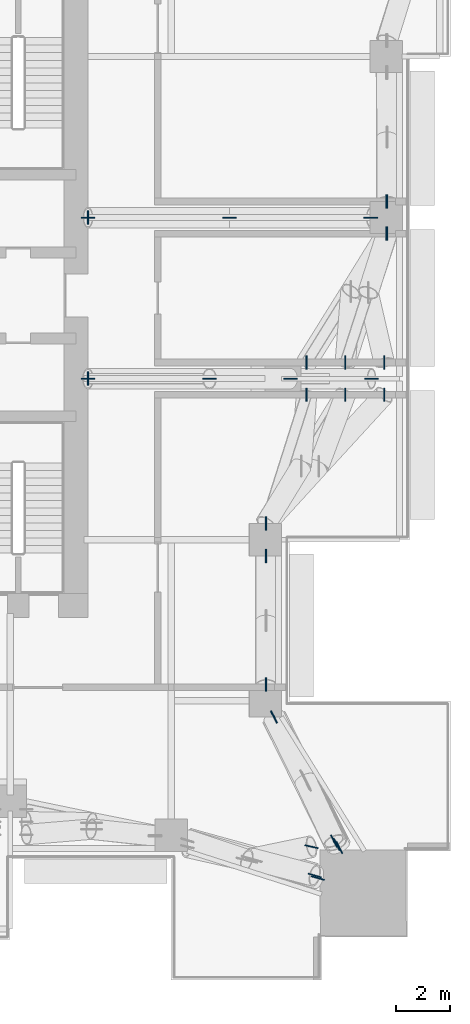
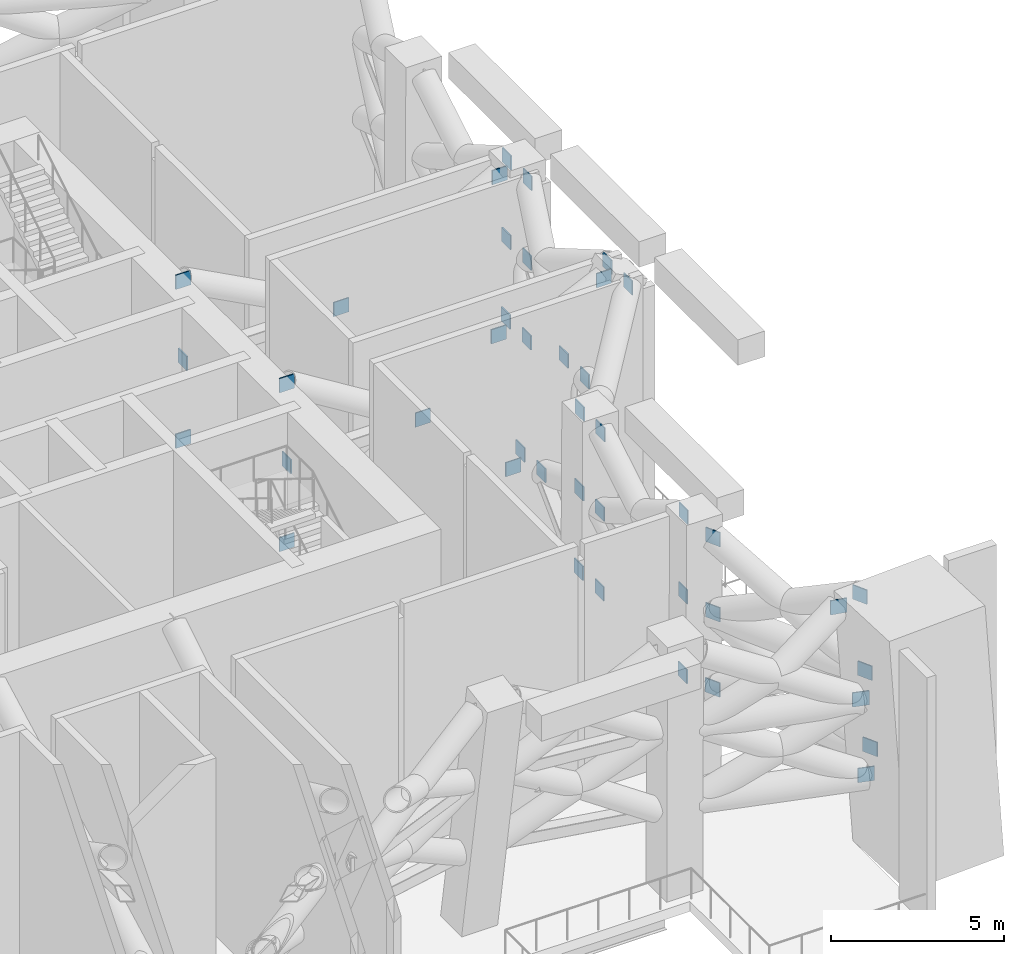
# One storey, part 13 of 18: 42 discrete accessories.
"""IFC4 building model written with IfcOpenShell, lengths in metres."""

from ifc_helpers import new_model, si_unit, direction, frame, origin, origin_2d, place, context, subcontext, project, spatial, rectangle, extrude, element, save


model = new_model("IFC4")

# Units and contexts
model_context = context("Model", 3, precision=1e-05, world=origin(), true_north=direction((0.0, 1.0)))
body_context = subcontext(model_context, "Body", "Model", "MODEL_VIEW")
ifc_project = project(units=[si_unit("LENGTHUNIT", "METRE"), si_unit("AREAUNIT", "SQUARE_METRE"), si_unit("VOLUMEUNIT", "CUBIC_METRE"), si_unit("PLANEANGLEUNIT", "RADIAN"), si_unit("MASSUNIT", "GRAM", prefix="KILO")], contexts=[model_context])

# Site, building, storey
site_placement = place(None, origin())
site = spatial("IfcSite", under=ifc_project, at=site_placement, CompositionType="ELEMENT")
building_placement = place(site_placement, origin())
building = spatial("IfcBuilding", under=site, at=building_placement, Name="Amberfall Residences", CompositionType="ELEMENT")
storey_placement = place(building_placement, frame((0.0, 0.0, 69.699951171875)))
storey = spatial("IfcBuildingStorey", under=building, at=storey_placement, Name="L19", CompositionType="ELEMENT", Elevation=69.699951171875)

# Discrete accessories
discrete_accessory_1_placement = place(storey_placement, frame((86.5, 42.39990234375, 5.449951171875), z_axis=(0.0, 0.0, 1.0), x_axis=(1.0, 0.0, 0.0)))
element("IfcDiscreteAccessory", 1, at=discrete_accessory_1_placement, inside=storey, Name="Cast-in plate L19", PredefinedType="BRACKET", context=body_context, shape_type="SweptSolid", body=[
    extrude(rectangle(XDim=0.0400390625, YDim=0.5, at=origin_2d()), origin(), (0.0, 0.0, 1.0), 0.5),
])
for number, where, z_axis, x_axis, name in (
    (2, (94.0380859375, 42.39990234375, 2.650146484375), (0.0, 0.0, 1.0), (1.0, 0.0, 0.0), "Connection plate L19"),
    (3, (91.025390625, 42.39990234375, 5.449951171875), (0.0, 0.0, 1.0), (1.0, 0.0, 0.0), "Connection plate L19"),
    (4, (86.5, 42.39990234375, 2.650146484375), (0.0, 0.0, 1.0), (1.0, 0.0, 0.0), "Connection plate L19"),
    (5, (97.063232421875, 42.39990234375, 8.25), (0.0, 0.0, 1.0), (1.0, 0.0, 0.0), "Connection plate L19"),
    (6, (86.5, 42.39990234375, 8.25), (0.0, 0.0, 1.0), (1.0, 0.0, 0.0), "Connection plate L19"),
):
    element("IfcDiscreteAccessory", number, at=place(storey_placement, frame(where, z_axis=z_axis, x_axis=x_axis)), inside=storey, Name=name, PredefinedType="BRACKET", context=body_context, shape_type="SweptSolid", body=[
        extrude(rectangle(XDim=0.5, YDim=0.0400390625, at=origin_2d()), origin(), (0.0, 0.0, 1.0), 0.5),
    ])
discrete_accessory_2_placement = place(storey_placement, frame((86.5, 48.39990234375, 5.449951171875), z_axis=(0.0, 0.0, 1.0), x_axis=(1.0, 0.0, 0.0)))
element("IfcDiscreteAccessory", 7, at=discrete_accessory_2_placement, inside=storey, Name="Cast-in plate L19", PredefinedType="BRACKET", context=body_context, shape_type="SweptSolid", body=[
    extrude(rectangle(XDim=0.0400390625, YDim=0.5, at=origin_2d()), origin(), (0.0, 0.0, 1.0), 0.5),
])
for number, where, z_axis, x_axis, name in (
    (8, (97.017333984375, 48.39990234375, 2.650146484375), (0.0, 0.0, 1.0), (1.0, 0.0, 0.0), "Connection plate L19"),
    (9, (91.7666015625, 48.39990234375, 5.449951171875), (0.0, 0.0, 1.0), (1.0, 0.0, 0.0), "Connection plate L19"),
    (10, (86.5, 48.39990234375, 2.650146484375), (0.0, 0.0, 1.0), (1.0, 0.0, 0.0), "Connection plate L19"),
    (11, (97.048583984375, 48.39990234375, 8.25), (0.0, 0.0, 1.0), (1.0, 0.0, 0.0), "Connection plate L19"),
    (12, (86.5, 48.39990234375, 8.25), (0.0, 0.0, 1.0), (1.0, 0.0, 0.0), "Connection plate L19"),
    (13, (93.117431640625, 31.0, 2.650146484375), (0.0, 0.0, 1.0), (0.0, 1.0, 0.0), "Connection plate L19"),
    (14, (93.13232421875, 35.800048828125, 5.449951171875), (0.0, 0.0, 1.0), (0.0, 1.0, 0.0), "Connection plate L19"),
    (15, (93.13232421875, 31.0, 5.449951171875), (0.0, 0.0, 1.0), (0.0, 1.0, 0.0), "Connection plate L19"),
    (16, (93.117431640625, 35.800048828125, 2.650146484375), (0.0, 0.0, 1.0), (0.0, 1.0, 0.0), "Connection plate L19"),
    (17, (93.147216796875, 35.800048828125, 8.25), (0.0, 0.0, 1.0), (0.0, 1.0, 0.0), "Connection plate L19"),
    (18, (93.147216796875, 31.0, 8.25), (0.0, 0.0, 1.0), (0.0, 1.0, 0.0), "Connection plate L19"),
    (19, (93.117431640625, 37.0, 2.650146484375), (0.0, 0.0, 1.0), (0.0, 1.0, 0.0), "Connection plate L19"),
    (20, (96.0859375, 41.800048828125, 5.449951171875), (0.0, 0.0, 1.0), (0.0, 1.0, 0.0), "Connection plate L19"),
    (21, (93.13232421875, 37.0, 5.449951171875), (0.0, 0.0, 1.0), (0.0, 1.0, 0.0), "Connection plate L19"),
    (22, (94.63818359375, 41.800048828125, 2.650146484375), (0.0, 0.0, 1.0), (0.0, 1.0, 0.0), "Connection plate L19"),
    (23, (97.533935546875, 41.800048828125, 8.25), (0.0, 0.0, 1.0), (0.0, 1.0, 0.0), "Connection plate L19"),
    (24, (93.147216796875, 37.0, 8.25), (0.0, 0.0, 1.0), (0.0, 1.0, 0.0), "Connection plate L19"),
    (25, (94.63818359375, 43.0, 2.650146484375), (0.0, 0.0, 1.0), (0.0, 1.0, 0.0), "Connection plate L19"),
    (26, (97.63232421875, 47.800048828125, 5.449951171875), (0.0, 0.0, 1.0), (0.0, 1.0, 0.0), "Connection plate L19"),
    (27, (96.0859375, 43.0, 5.449951171875), (0.0, 0.0, 1.0), (0.0, 1.0, 0.0), "Connection plate L19"),
    (28, (97.617431640625, 47.800048828125, 2.650146484375), (0.0, 0.0, 1.0), (0.0, 1.0, 0.0), "Connection plate L19"),
    (29, (97.647216796875, 47.800048828125, 8.25), (0.0, 0.0, 1.0), (0.0, 1.0, 0.0), "Connection plate L19"),
    (30, (97.533935546875, 43.0, 8.25), (0.0, 0.0, 1.0), (0.0, 1.0, 0.0), "Connection plate L19"),
    (31, (97.617431640625, 49.0, 2.650146484375), (0.0, 0.0, 1.0), (0.0, 1.0, 0.0), "Connection plate L19"),
    (32, (97.63232421875, 49.0, 5.449951171875), (0.0, 0.0, 1.0), (0.0, 1.0, 0.0), "Connection plate L19"),
    (33, (97.647216796875, 49.0, 8.25), (0.0, 0.0, 1.0), (0.0, 1.0, 0.0), "Connection plate L19"),
    (34, (95.864013671875, 24.93359375, 2.75), (0.0, 0.0, 1.0), (-0.447759087839, 0.894154236839, 0.0), "Connection plate L19"),
    (35, (93.427001953125, 29.800048828125, 5.396484375), (0.0, 0.0, 1.0), (-0.447759087839, 0.894154236839, 0.0), "Connection plate L19"),
    (36, (95.759521484375, 25.05517578125, 5.396484375), (0.0, 0.0, 1.0), (-0.447759087839, 0.894154236839, 0.0), "Connection plate L19"),
    (37, (93.419189453125, 29.800048828125, 2.75), (0.0, 0.0, 1.0), (-0.447759087839, 0.894154236839, 0.0), "Connection plate L19"),
    (38, (93.434326171875, 29.800048828125, 8.04296875), (0.0, 0.0, 1.0), (-0.440033208671, 0.897981500515, 0.0), "Connection plate L19"),
    (39, (95.657470703125, 25.1748046875, 8.04296875), (0.0, 0.0, 1.0), (-0.440033208671, 0.897981500515, 0.0), "Connection plate L19"),
    (40, (95.066650390625, 23.7958984375, 2.75), (0.0, 0.0, 1.0), (-0.960677448497, 0.27766677862, 0.0), "Connection plate L19"),
    (41, (94.9453125, 23.894287109375, 5.396484375), (0.0, 0.0, 1.0), (-0.960677448497, 0.27766677862, 0.0), "Connection plate L19"),
    (42, (94.82470703125, 24.96484375, 8.04296875), (0.0, 0.0, 1.0), (-0.975488478069, 0.220050515007, 0.0), "Connection plate L19"),
):
    element("IfcDiscreteAccessory", number, at=place(storey_placement, frame(where, z_axis=z_axis, x_axis=x_axis)), inside=storey, Name=name, PredefinedType="BRACKET", context=body_context, shape_type="SweptSolid", body=[
        extrude(rectangle(XDim=0.5, YDim=0.0400390625, at=origin_2d()), origin(), (0.0, 0.0, 1.0), 0.5),
    ])

save(model, "model.ifc")
